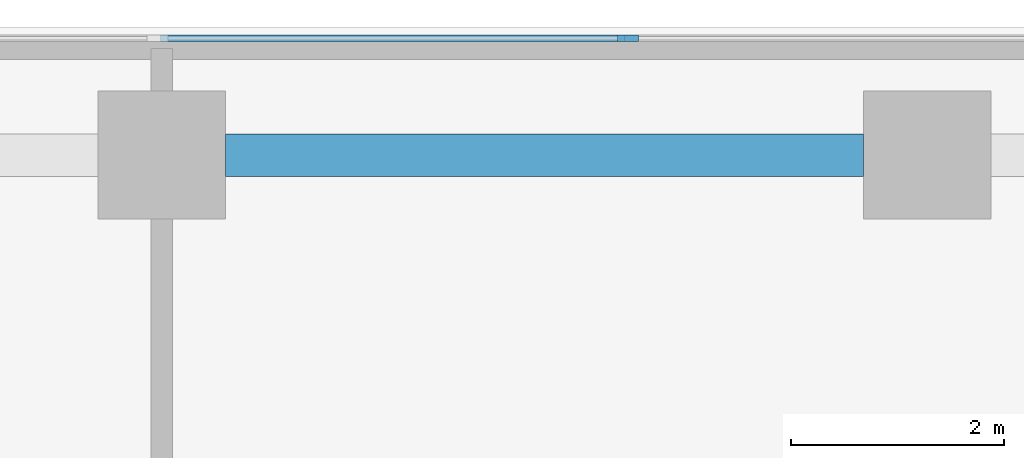
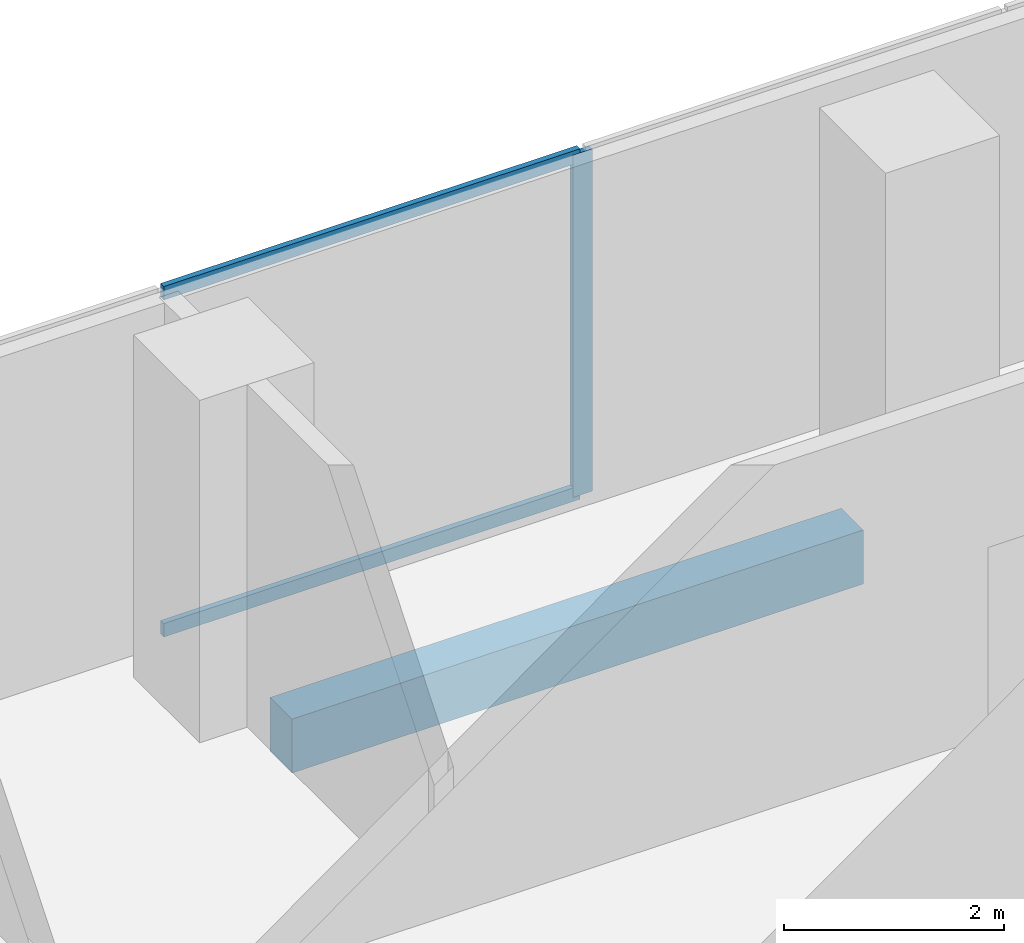
# One storey, part 8 of 27: 3 members, 1 beam, 1 element without a shape of its own.
"""IFC4 building model written with IfcOpenShell, lengths in metres."""

from ifc_helpers import new_model, si_unit, direction, frame, origin, origin_2d, place, context, subcontext, project, spatial, rectangle, extrude, material, material_profile, profile_set, type_object, element, aggregate, save


model = new_model("IFC4")

# Units and contexts
model_context = context("Model", 3, precision=1e-05, world=origin(), true_north=direction((0.0, 1.0)))
body_context = subcontext(model_context, "Body", "Model", "MODEL_VIEW")
ifc_project = project(units=[si_unit("LENGTHUNIT", "METRE"), si_unit("AREAUNIT", "SQUARE_METRE"), si_unit("VOLUMEUNIT", "CUBIC_METRE"), si_unit("PLANEANGLEUNIT", "RADIAN"), si_unit("MASSUNIT", "GRAM", prefix="KILO")], contexts=[model_context])

# Site, building, storey
site_placement = place(None, origin())
site = spatial("IfcSite", under=ifc_project, at=site_placement, CompositionType="ELEMENT")
building_placement = place(site_placement, origin())
building = spatial("IfcBuilding", under=site, at=building_placement, Name="Windrow Commons", CompositionType="ELEMENT")
storey_placement = place(building_placement, frame((0.0, 0.0, 6.0)))
storey = spatial("IfcBuildingStorey", under=building, at=storey_placement, Name="L01", CompositionType="ELEMENT", Elevation=6.0)

# Curtain wall, members
ifc_material_1 = material(Name="Clear laminated glass in Aluminium 6063-T6 anodised frame", Category="aluminium")
curtain_wall_type = type_object("IfcCurtainWallType", Name="Curtain wall CW1 podium study hall", PredefinedType="USERDEFINED", material=ifc_material_1)
curtain_wall_placement = place(storey_placement, origin())
curtain_wall = element("IfcCurtainWall", 1, at=curtain_wall_placement, inside=storey, type_object=curtain_wall_type, Name="Curtain wall CW1 L01 5", ObjectType="STICK", PredefinedType="USERDEFINED")
ifc_material_2 = material(Name="Aluminium 6063-T6", Category="aluminium")
ifc_material_profile_1 = material_profile(ifc_material_2, rectangle(XDim=0.06, YDim=0.2, at=origin_2d()))
ifc_profile_set_1 = profile_set([ifc_material_profile_1], Name="Aluminium 6063-T6")
member_type_1 = type_object("IfcMemberType", Name="CW1 mullion 60x200", PredefinedType="MULLION", material=ifc_profile_set_1)
member_1_placement = place(storey_placement, frame((61.9866, 73.1, 0.0), z_axis=(0.0, 0.0, 1.0), x_axis=(0.0, -1.0, 0.0)))
member_1 = element("IfcMember", 2, at=member_1_placement, type_object=member_type_1, Name="CW1 mullion 5", PredefinedType="MULLION", context=body_context, shape_type="SweptSolid", body=[
    extrude(rectangle(XDim=0.06, YDim=0.2, at=origin_2d()), origin(), (0.0, 0.0, 1.0), 3.8),
])
ifc_material_3 = material(Name="Aluminium 6063-T6", Category="aluminium")
ifc_material_profile_2 = material_profile(ifc_material_3, rectangle(XDim=0.06, YDim=0.15, at=origin_2d()))
ifc_profile_set_2 = profile_set([ifc_material_profile_2], Name="Aluminium 6063-T6")
member_type_2 = type_object("IfcMemberType", Name="CW1 transom 60x150", PredefinedType="USERDEFINED", material=ifc_profile_set_2)
member_2_placement = place(storey_placement, frame((61.9566, 73.1, 0.03), z_axis=(-1.0, 0.0, 0.0), x_axis=(0.0, -1.0, 0.0)))
member_2 = element("IfcMember", 3, at=member_2_placement, type_object=member_type_2, Name="CW1 transom 5.1", ObjectType="TRANSOM", PredefinedType="USERDEFINED", context=body_context, shape_type="SweptSolid", body=[
    extrude(rectangle(XDim=0.06, YDim=0.15, at=origin_2d()), origin(), (0.0, 0.0, 1.0), 4.3676),
])
member_3_placement = place(storey_placement, frame((61.9566, 73.1, 3.77), z_axis=(-1.0, 0.0, 0.0), x_axis=(0.0, -1.0, 0.0)))
member_3 = element("IfcMember", 4, at=member_3_placement, type_object=member_type_2, Name="CW1 transom 5.2", ObjectType="TRANSOM", PredefinedType="USERDEFINED", context=body_context, shape_type="SweptSolid", body=[
    extrude(rectangle(XDim=0.06, YDim=0.15, at=origin_2d()), origin(), (0.0, 0.0, 1.0), 4.3676),
])
aggregate(curtain_wall, [member_1, member_2, member_3])

# Beam
ifc_material_4 = material(Name="Concrete C60/75", Category="concrete")
ifc_material_profile_3 = material_profile(ifc_material_4, rectangle(XDim=0.4, YDim=0.6, at=origin_2d()))
ifc_profile_set_3 = profile_set([ifc_material_profile_3], Name="Concrete C60/75")
beam_type = type_object("IfcBeamType", Name="RC EDGE BEAM 400x600 C60/75", PredefinedType="SPANDREL", material=ifc_profile_set_3)
beam_placement = place(storey_placement, frame((58.2, 72.0, -0.7), z_axis=(1.0, 0.0, 0.0), x_axis=(0.0, 1.0, 0.0)))
element("IfcBeam", 5, at=beam_placement, inside=storey, type_object=beam_type, Name="Edge beam L01 014", PredefinedType="SPANDREL", context=body_context, shape_type="SweptSolid", body=[
    extrude(rectangle(XDim=0.4, YDim=0.6, at=origin_2d()), origin(), (0.0, 0.0, 1.0), 6.0),
])

save(model, "model.ifc")
